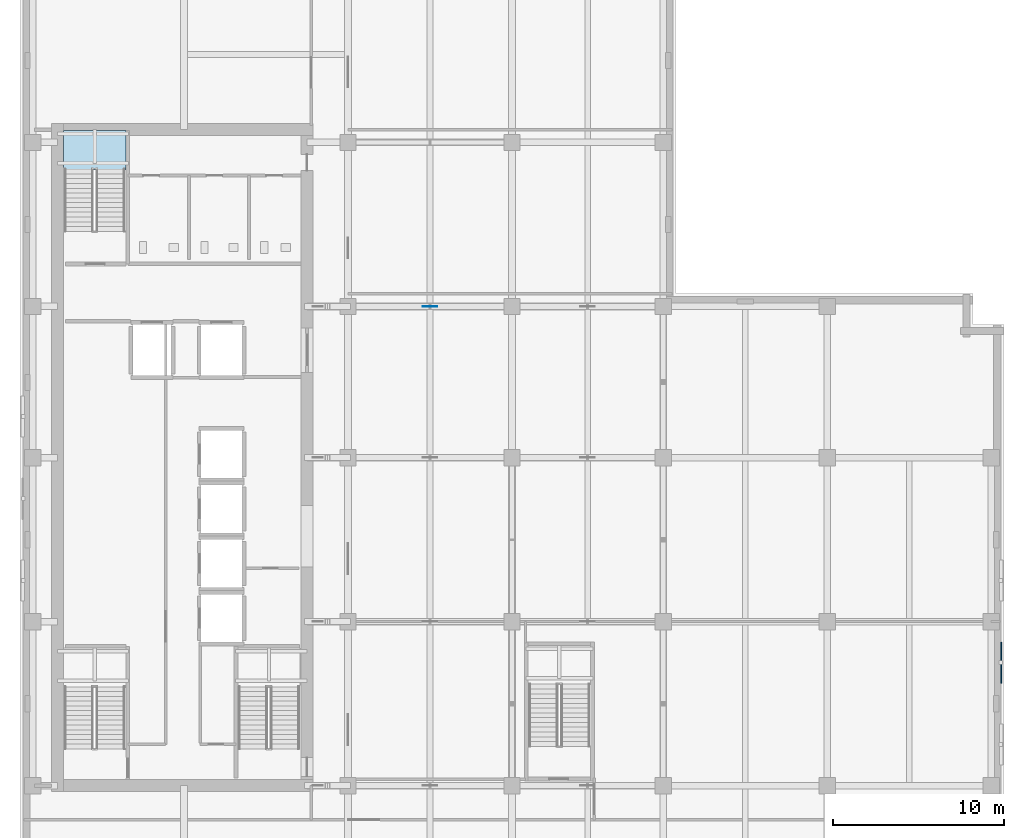
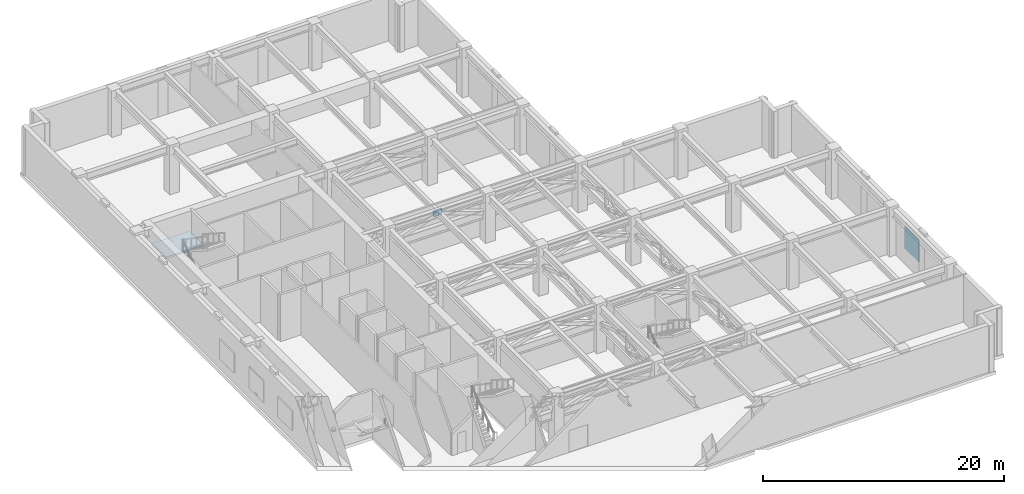
# One storey, part 9 of 21: 2 plates, 1 slab, 1 element without a shape of its own.
"""IFC4 building model written with IfcOpenShell, lengths in metres."""

from ifc_helpers import new_model, si_unit, direction, frame, origin, origin_2d, place, context, subcontext, project, spatial, polyline, rectangle, outline, extrude, material, layer, layer_set, type_object, element, aggregate, save


model = new_model("IFC4")

# Units and contexts
model_context = context("Model", 3, precision=1e-05, world=origin(), true_north=direction((0.0, 1.0)))
body_context = subcontext(model_context, "Body", "Model", "MODEL_VIEW")
ifc_project = project(units=[si_unit("LENGTHUNIT", "METRE"), si_unit("AREAUNIT", "SQUARE_METRE"), si_unit("VOLUMEUNIT", "CUBIC_METRE"), si_unit("PLANEANGLEUNIT", "RADIAN"), si_unit("MASSUNIT", "GRAM", prefix="KILO")], contexts=[model_context])

# Site, building, storey
site_placement = place(None, origin())
site = spatial("IfcSite", under=ifc_project, at=site_placement, CompositionType="ELEMENT")
building_placement = place(site_placement, origin())
building = spatial("IfcBuilding", under=site, at=building_placement, Name="Norrvale University Quadrangle", CompositionType="ELEMENT")
storey_placement = place(building_placement, frame((0.0, 0.0, 194.0)))
storey = spatial("IfcBuildingStorey", under=building, at=storey_placement, Name="L49", CompositionType="ELEMENT", Elevation=194.0)

# Plates
ifc_material_1 = material(Name="Perforated Acoustic Aluminium Screen", Category="aluminium")
ifc_layer_1 = layer(ifc_material_1, 0.06005859375, Name="Perforated Acoustic Aluminium Screen")
ifc_layer_set_1 = layer_set([ifc_layer_1], Name="Perforated Acoustic Aluminium Screen")
plate_type_1 = type_object("IfcPlateType", Name="Plate Crown Screen 60", PredefinedType="USERDEFINED", material=ifc_layer_set_1)
plate_1_placement = place(storey_placement, frame((57.43994140625, 16.800048828125, 1.0), z_axis=(0.0, 0.0, 1.0), x_axis=(0.0, 1.0, 0.0)))
element("IfcPlate", 1, at=plate_1_placement, inside=storey, type_object=plate_type_1, Name="Acoustic Louvered Crown Screen 006", ObjectType="CROWN SCREEN", PredefinedType="USERDEFINED", context=body_context, shape_type="SweptSolid", body=[
    extrude(rectangle(XDim=2.39990234375, YDim=0.06005859375, at=origin_2d()), origin(), (0.0, 0.0, 1.0), 2.199951171875),
])
ifc_material_2 = material(Name="Steel 350W", Category="steel")
ifc_layer_2 = layer(ifc_material_2, 0.02490234375, Name="Steel 350W")
ifc_layer_set_2 = layer_set([ifc_layer_2], Name="Steel 350W")
plate_type_2 = type_object("IfcPlateType", Name="Plate Gusset 25", PredefinedType="USERDEFINED", material=ifc_layer_set_2)
plate_2_placement = place(storey_placement, frame((24.0, 37.64990234375, 4.06494140625), z_axis=(0.0, 0.0, 1.0), x_axis=(1.0, 0.0, 0.0)))
element("IfcPlate", 2, at=plate_2_placement, inside=storey, type_object=plate_type_2, Name="Outrigger Truss Gusset Plate 31", ObjectType="GUSSET_PLATE", PredefinedType="USERDEFINED", context=body_context, shape_type="SweptSolid", body=[
    extrude(rectangle(XDim=0.85009765625, YDim=0.02490234375, at=origin_2d()), origin(), (0.0, 0.0, 1.0), 0.64990234375),
])

# Stair, slab
ifc_material_3 = material(Name="Concrete C40/50", Category="concrete")
stair_type = type_object("IfcStairType", Name="Stair Tower Plant 5000", PredefinedType="TWO_STRAIGHT_RUN_STAIR", material=ifc_material_3)
stair_placement = place(storey_placement, origin())
stair = element("IfcStair", 3, at=stair_placement, inside=storey, type_object=stair_type, Name="Exit Stair ST-02 L49", PredefinedType="TWO_STRAIGHT_RUN_STAIR")
ifc_layer_3 = layer(ifc_material_3, 0.199951171875, Name="Concrete C40/50")
ifc_layer_set_3 = layer_set([ifc_layer_3], Name="Concrete C40/50")
slab_type = type_object("IfcSlabType", Name="Slab Landing 200", PredefinedType="LANDING", material=ifc_layer_set_3)
slab_placement = place(storey_placement, frame((0.0, 0.0, 2.300048828125)))
slab = element("IfcSlab", 4, at=slab_placement, type_object=slab_type, Name="Exit Stair ST-02 L49 Mid Landing", PredefinedType="LANDING", context=body_context, shape_type="SweptSolid", body=[
    extrude(outline(polyline([(2.550048828125, 45.6298828125), (6.199951171875, 45.6298828125), (6.199951171875, 47.949951171875), (2.550048828125, 47.949951171875), (2.550048828125, 45.6298828125)])), origin(), (0.0, 0.0, 1.0), 0.199951171875),
])
aggregate(stair, [slab])

save(model, "model.ifc")
